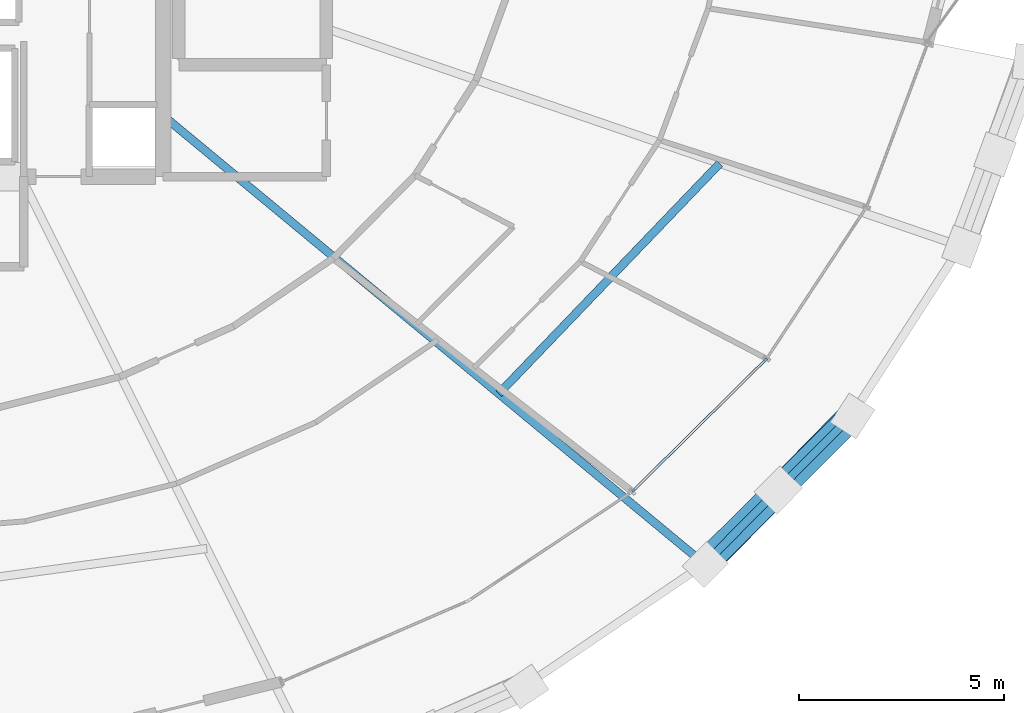
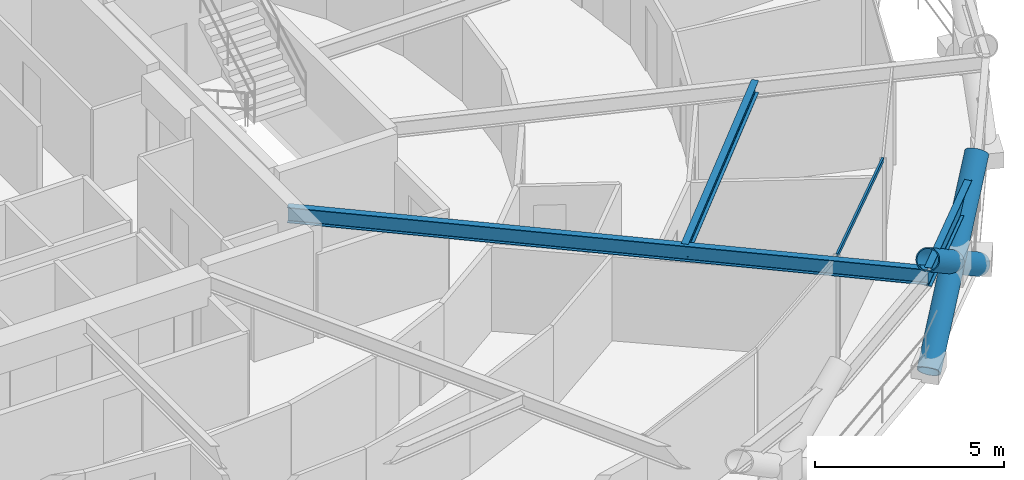
# One storey, part 9 of 23: 4 members, 3 beams, 1 element without a shape of its own.
"""IFC4 building model written with IfcOpenShell, lengths in metres."""

from ifc_helpers import new_model, si_unit, direction, frame, origin, origin_2d, place, context, subcontext, project, spatial, hollow_rectangle, hollow_circle, i_section, extrude, material, layer, layer_set, material_profile, profile_set, type_object, element, aggregate, save


model = new_model("IFC4")

# Units and contexts
model_context = context("Model", 3, precision=1e-05, world=origin(), true_north=direction((0.0, 1.0)))
body_context = subcontext(model_context, "Body", "Model", "MODEL_VIEW")
ifc_project = project(units=[si_unit("LENGTHUNIT", "METRE"), si_unit("AREAUNIT", "SQUARE_METRE"), si_unit("VOLUMEUNIT", "CUBIC_METRE"), si_unit("PLANEANGLEUNIT", "RADIAN"), si_unit("MASSUNIT", "GRAM", prefix="KILO")], contexts=[model_context])

# Site, building, storey
site_placement = place(None, origin())
site = spatial("IfcSite", under=ifc_project, at=site_placement, CompositionType="ELEMENT")
building_placement = place(site_placement, origin())
building = spatial("IfcBuilding", under=site, at=building_placement, Name="Veldorina Hangang Commons", CompositionType="ELEMENT")
storey_placement = place(building_placement, frame((0.0, 0.0, 95.199951171875)))
storey = spatial("IfcBuildingStorey", under=building, at=storey_placement, Name="L24", CompositionType="ELEMENT", Elevation=95.199951171875)

# Beams
ifc_material_1 = material(Name="Steel SM420-TMC", Category="steel")
ifc_material_profile_1 = material_profile(ifc_material_1, i_section(OverallWidth=0.199951171875, OverallDepth=0.5, WebThickness=0.010009765625, FlangeThickness=0.01611328125, FilletRadius=0.01611328125, at=origin_2d()), Name="H-500x200x10x16")
ifc_profile_set_1 = profile_set([ifc_material_profile_1], Name="Steel SM420-TMC")
beam_type_1 = type_object("IfcBeamType", Name="BM-FG500", PredefinedType="BEAM", material=ifc_profile_set_1)
beam_1_placement = place(storey_placement, frame((39.199951171875, 18.036865234375, 3.090087890625), z_axis=(0.77016302698, -0.637847091295, 0.0), x_axis=(0.637847091295, 0.77016302698, 0.0)))
element("IfcBeam", 1, at=beam_1_placement, inside=storey, type_object=beam_type_1, Name="L24 radial floor girder 15", PredefinedType="BEAM", context=body_context, shape_type="SweptSolid", body=[
    extrude(i_section(OverallWidth=0.199951171875, OverallDepth=0.5, WebThickness=0.010009765625, FlangeThickness=0.01611328125, FilletRadius=0.01611328125, at=origin_2d()), origin(), (0.0, 0.0, 1.0), 17.148681640625),
])
ifc_material_2 = material(Name="Steel SM355-TMC", Category="steel")
ifc_material_profile_2 = material_profile(ifc_material_2, i_section(OverallWidth=0.199951171875, OverallDepth=0.39990234375, WebThickness=0.008056640625, FlangeThickness=0.012939453125, FilletRadius=0.012939453125, at=origin_2d()), Name="H-400x200x8x13")
ifc_profile_set_2 = profile_set([ifc_material_profile_2], Name="Steel SM355-TMC")
beam_type_2 = type_object("IfcBeamType", Name="BM-JST400", PredefinedType="JOIST", material=ifc_profile_set_2)
beam_2_placement = place(storey_placement, frame((47.388427734375, 11.255126953125, 3.14013671875), z_axis=(0.692518119583, 0.721400481043, 0.0), x_axis=(-0.721400481043, 0.692518119583, 0.0)))
element("IfcBeam", 2, at=beam_2_placement, inside=storey, type_object=beam_type_2, Name="L24 secondary floor joist 15", PredefinedType="JOIST", context=body_context, shape_type="SweptSolid", body=[
    extrude(i_section(OverallWidth=0.199951171875, OverallDepth=0.39990234375, WebThickness=0.008056640625, FlangeThickness=0.012939453125, FilletRadius=0.012939453125, at=origin_2d()), origin(), (0.0, 0.0, 1.0), 7.78515625),
])
ifc_material_profile_3 = material_profile(ifc_material_1, i_section(OverallWidth=0.199951171875, OverallDepth=0.60009765625, WebThickness=0.010986328125, FlangeThickness=0.01708984375, FilletRadius=0.01806640625, at=origin_2d()), Name="H-600x200x11x17")
ifc_profile_set_3 = profile_set([ifc_material_profile_3], Name="Steel SM420-TMC")
beam_type_3 = type_object("IfcBeamType", Name="BM-RB600", PredefinedType="BEAM", material=ifc_profile_set_3)
beam_3_placement = place(storey_placement, frame((52.4072265625, 7.0986328125, 3.0400390625), z_axis=(0.703891727572, 0.7103072827, 0.0), x_axis=(-0.7103072827, 0.703891727572, 0.0)))
element("IfcBeam", 3, at=beam_3_placement, inside=storey, type_object=beam_type_3, Name="L24 perimeter hoop ring beam 28", PredefinedType="BEAM", context=body_context, shape_type="SweptSolid", body=[
    extrude(i_section(OverallWidth=0.199951171875, OverallDepth=0.60009765625, WebThickness=0.010986328125, FlangeThickness=0.01708984375, FilletRadius=0.01806640625, at=origin_2d()), origin(), (0.0, 0.0, 1.0), 5.099365234375),
])

# Curtain wall, member
ifc_material_3 = material(Name="Glass Low-E Triple IGU", Category="glass")
ifc_layer = layer(ifc_material_3, 0.179931640625)
ifc_layer_set = layer_set([ifc_layer], Name="Glass Low-E Triple IGU")
curtain_wall_type = type_object("IfcCurtainWallType", Name="CW-SYS-Z1", PredefinedType="NOTDEFINED", material=ifc_layer_set)
curtain_wall_placement = place(storey_placement, origin())
curtain_wall = element("IfcCurtainWall", 4, at=curtain_wall_placement, inside=storey, type_object=curtain_wall_type, Name="L24 unitised curtain wall CW-L24-R2", PredefinedType="NOTDEFINED")
ifc_material_4 = material(Name="Aluminium Anodized AA6063-T6", Category="aluminium")
ifc_material_profile_4 = material_profile(ifc_material_4, hollow_rectangle(XDim=0.06005859375, YDim=0.139892578125, WallThickness=0.00341796875, at=origin_2d()), Name="ALU-RHS-140x60x3.5")
ifc_profile_set_4 = profile_set([ifc_material_profile_4], Name="Aluminium Anodized AA6063-T6")
member_type_1 = type_object("IfcMemberType", Name="CW-TRN-140", PredefinedType="USERDEFINED", material=ifc_profile_set_4)
member_1_placement = place(storey_placement, frame((50.645751953125, 8.8662109375, 3.260009765625), z_axis=(0.710986601981, 0.703205554446, 0.0), x_axis=(-0.703205554446, 0.710986601981, 0.0)))
member_1 = element("IfcMember", 5, at=member_1_placement, type_object=member_type_1, Name="CW-L24-R2 facet 3 transom 1", ObjectType="TRANSOM", PredefinedType="USERDEFINED", context=body_context, shape_type="SweptSolid", body=[
    extrude(hollow_rectangle(XDim=0.06005859375, YDim=0.139892578125, WallThickness=0.00341796875, at=origin_2d()), origin(), (0.0, 0.0, 1.0), 4.6123046875),
])
aggregate(curtain_wall, [member_1])

# Members
ifc_material_5 = material(Name="Steel SM460-TMC", Category="steel")
ifc_material_profile_5 = material_profile(ifc_material_5, hollow_circle(Radius=0.324951171875, WallThickness=0.031982421875, at=origin_2d()), Name="CHS-650x32")
ifc_profile_set_5 = profile_set([ifc_material_profile_5], Name="Steel SM460-TMC")
member_type_2 = type_object("IfcMemberType", Name="DG-CHS650", PredefinedType="BRACE", material=ifc_profile_set_5)
member_2_placement = place(storey_placement, frame((52.427734375, 7.084228515625, 0.0), z_axis=(0.57147171997, 0.583331715254, 0.57718643717), x_axis=(-0.714331196912, 0.699807788695, 0.0)))
element("IfcMember", 6, at=member_2_placement, inside=storey, type_object=member_type_2, Name="L24 continuous perimeter diagrid brace 28", PredefinedType="BRACE", context=body_context, shape_type="SweptSolid", body=[
    extrude(hollow_circle(Radius=0.324951171875, WallThickness=0.031982421875, at=origin_2d()), origin(), (0.0, 0.0, 1.0), 6.2373046875),
])
member_3_placement = place(storey_placement, frame((56.0205078125, 10.70947265625, 0.0), z_axis=(-0.578754690999, -0.57727110504, 0.576021769495), x_axis=(0.706198733994, -0.708013663785, 0.0)))
element("IfcMember", 7, at=member_3_placement, inside=storey, type_object=member_type_2, Name="L24 split perimeter diagrid lower brace 29", PredefinedType="BRACE", context=body_context, shape_type="SweptSolid", body=[
    extrude(hollow_circle(Radius=0.324951171875, WallThickness=0.031982421875, at=origin_2d()), origin(), (0.0, 0.0, 1.0), 3.126708984375),
])
member_4_placement = place(storey_placement, frame((54.2109375, 8.904541015625, 1.801025390625), z_axis=(-0.578678106593, -0.577349249669, 0.576020392744), x_axis=(0.706293493181, -0.707919134852, 0.0)))
element("IfcMember", 8, at=member_4_placement, inside=storey, type_object=member_type_2, Name="L24 split perimeter diagrid upper brace 29", PredefinedType="BRACE", context=body_context, shape_type="SweptSolid", body=[
    extrude(hollow_circle(Radius=0.324951171875, WallThickness=0.031982421875, at=origin_2d()), origin(), (0.0, 0.0, 1.0), 3.123291015625),
])

save(model, "model.ifc")
